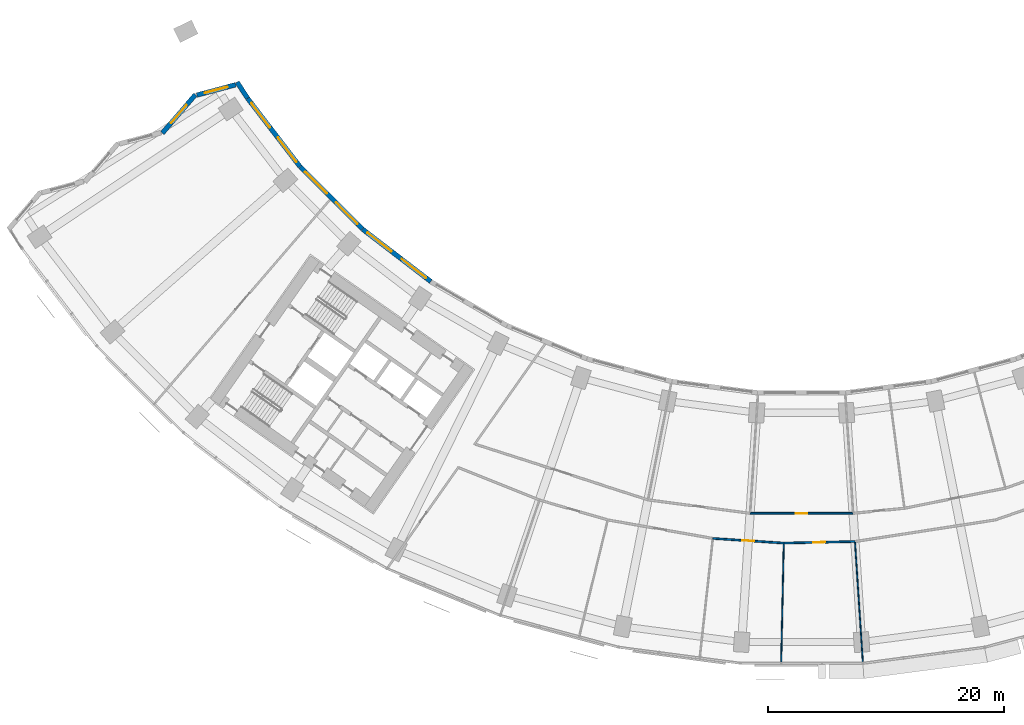
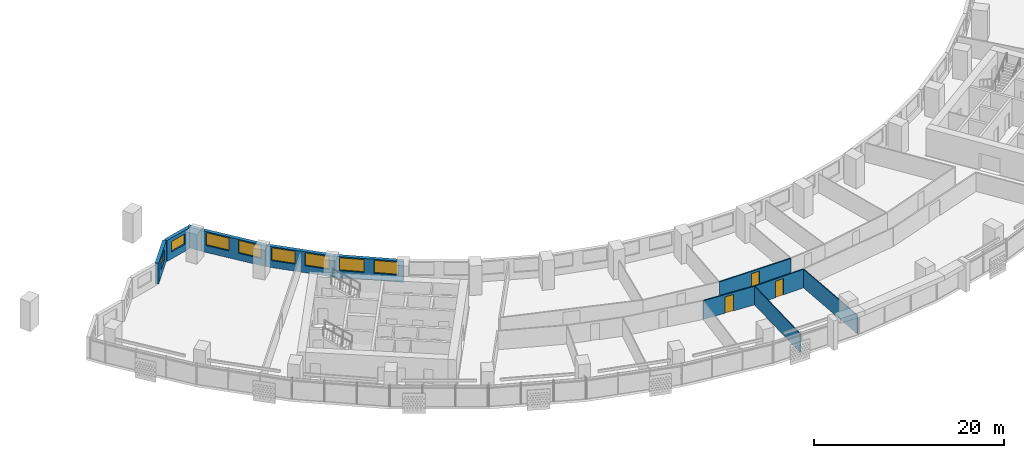
# One storey, part 5 of 31: 11 walls, 8 windows, 3 doors, 11 openings.
"""IFC4 building model written with IfcOpenShell, lengths in metres."""

from ifc_helpers import new_model, si_unit, direction, frame, frame_2d, origin, place, context, subcontext, project, spatial, rectangle, extrude, material, layer, layer_set, type_object, element, fill, save


model = new_model("IFC4")

# Units and contexts
model_context = context("Model", 3, precision=1e-05, world=origin(), true_north=direction((0.0, 1.0)))
body_context = subcontext(model_context, "Body", "Model", "MODEL_VIEW")
ifc_project = project(units=[si_unit("LENGTHUNIT", "METRE"), si_unit("AREAUNIT", "SQUARE_METRE"), si_unit("VOLUMEUNIT", "CUBIC_METRE"), si_unit("PLANEANGLEUNIT", "RADIAN"), si_unit("MASSUNIT", "GRAM", prefix="KILO")], contexts=[model_context])

# Site, building, storey
site_placement = place(None, origin())
site = spatial("IfcSite", under=ifc_project, at=site_placement, CompositionType="ELEMENT")
building_placement = place(site_placement, origin())
building = spatial("IfcBuilding", under=site, at=building_placement, Name="Qamariyya Broadcast Tower", CompositionType="ELEMENT")
storey_placement = place(building_placement, frame((0.0, 0.0, 51.89990234375)))
storey = spatial("IfcBuildingStorey", under=building, at=storey_placement, Name="L09", CompositionType="ELEMENT", Elevation=51.89990234375)

# Wall, opening, door
ifc_material_1 = material(Name="Gypsum board partition")
ifc_layer_1 = layer(ifc_material_1, 0.14990234375)
ifc_layer_set_1 = layer_set([ifc_layer_1], Name="Corridor partition 150 EI 60")
wall_type_1 = type_object("IfcWallType", Name="Corridor partition 150 EI 60", PredefinedType="PARTITIONING", material=ifc_layer_set_1)
wall_1_placement = place(storey_placement, frame((-1.511474609375, -69.18359375, 0.0), z_axis=(0.0, 0.0, 1.0), x_axis=(-0.997856905736, 0.065433903101, 0.0)))
wall_1 = element("IfcWall", 1, at=wall_1_placement, inside=storey, type_object=wall_type_1, Name="Partition L09-013", PredefinedType="PARTITIONING", context=body_context, shape_type="SweptSolid", body=[
    extrude(rectangle(XDim=6.033203125, YDim=0.14990234375, at=frame_2d((3.0166015625, 0.0))), origin(), (0.0, 0.0, 1.0), 2.400146484375),
])
opening_1_placement = place(wall_1_placement, frame((2.5166015625, 0.0, 0.0)))
opening_1 = element("IfcOpeningElement", 2, at=opening_1_placement, cuts=wall_1, Name="Opening L09-D04", PredefinedType="OPENING", context=body_context, shape_type="SweptSolid", body=[
    extrude(rectangle(XDim=1.0, YDim=2.10009765625, at=frame_2d((0.5, 1.050048828125))), frame((0.0, 0.0849609375, 0.0), z_axis=(0.0, -1.0, 0.0), x_axis=(1.0, 0.0, 0.0)), (0.0, 0.0, 1.0), 0.169921875),
])
ifc_material_2 = material(Name="Timber fire door leaf", Category="wood")
door_type = type_object("IfcDoorType", Name="Fire door 1000 x 2100 FD60", OperationType="NOTDEFINED", PredefinedType="DOOR", material=ifc_material_2)
door_1_placement = place(opening_1_placement, origin())
door_1 = element("IfcDoor", 3, at=door_1_placement, inside=storey, type_object=door_type, Name="Door L09-D04", OperationType="SINGLE_SWING_RIGHT", OverallHeight=2.10009765625, OverallWidth=1.0, PredefinedType="DOOR", context=body_context, shape_type="SweptSolid", body=[
    extrude(rectangle(XDim=1.0, YDim=2.10009765625, at=frame_2d((0.5, 1.050048828125))), frame((0.0, 0.02490234375, 0.0), z_axis=(0.0, -1.0, 0.0), x_axis=(1.0, 0.0, 0.0)), (0.0, 0.0, 1.0), 0.050048828125),
])
fill(opening_1, door_1)

wall_2_placement = place(storey_placement, frame((-4.368896484375, -66.656982421875, 0.0), z_axis=(0.0, 0.0, 1.0), x_axis=(1.0, 0.0, 0.0)))
wall_2 = element("IfcWall", 4, at=wall_2_placement, inside=storey, type_object=wall_type_1, Name="Partition L09-014", PredefinedType="PARTITIONING", context=body_context, shape_type="SweptSolid", body=[
    extrude(rectangle(XDim=8.73779296875, YDim=0.14990234375, at=frame_2d((4.368896484375, 0.0))), origin(), (0.0, 0.0, 1.0), 2.400146484375),
])
opening_2_placement = place(wall_2_placement, frame((3.868896484375, 0.0, 0.0)))
opening_2 = element("IfcOpeningElement", 5, at=opening_2_placement, cuts=wall_2, Name="Opening L09-D09", PredefinedType="OPENING", context=body_context, shape_type="SweptSolid", body=[
    extrude(rectangle(XDim=1.0, YDim=2.10009765625, at=frame_2d((0.5, 1.050048828125))), frame((0.0, 0.0849609375, 0.0), z_axis=(0.0, -1.0, 0.0), x_axis=(1.0, 0.0, 0.0)), (0.0, 0.0, 1.0), 0.169921875),
])
door_2_placement = place(opening_2_placement, origin())
door_2 = element("IfcDoor", 6, at=door_2_placement, inside=storey, type_object=door_type, Name="Door L09-D09", OperationType="SINGLE_SWING_RIGHT", OverallHeight=2.10009765625, OverallWidth=1.0, PredefinedType="DOOR", context=body_context, shape_type="SweptSolid", body=[
    extrude(rectangle(XDim=1.0, YDim=2.10009765625, at=frame_2d((0.5, 1.050048828125))), frame((0.0, 0.02490234375, 0.0), z_axis=(0.0, -1.0, 0.0), x_axis=(1.0, 0.0, 0.0)), (0.0, 0.0, 1.0), 0.050048828125),
])
fill(opening_2, door_2)

wall_3_placement = place(storey_placement, frame((4.52587890625, -69.0517578125, 0.0), z_axis=(0.0, 0.0, 1.0), x_axis=(-0.999761664283, -0.021831505468, 0.0)))
wall_3 = element("IfcWall", 7, at=wall_3_placement, inside=storey, type_object=wall_type_1, Name="Partition L09-017", PredefinedType="PARTITIONING", context=body_context, shape_type="SweptSolid", body=[
    extrude(rectangle(XDim=6.038818359375, YDim=0.14990234375, at=frame_2d((3.01953125, 0.0))), origin(), (0.0, 0.0, 1.0), 2.400146484375),
])
opening_3_placement = place(wall_3_placement, frame((2.51953125, 0.0, 0.0)))
opening_3 = element("IfcOpeningElement", 8, at=opening_3_placement, cuts=wall_3, Name="Opening L09-D05", PredefinedType="OPENING", context=body_context, shape_type="SweptSolid", body=[
    extrude(rectangle(XDim=1.0, YDim=2.10009765625, at=frame_2d((0.5, 1.050048828125))), frame((0.0, 0.0849609375, 0.0), z_axis=(0.0, -1.0, 0.0), x_axis=(1.0, 0.0, 0.0)), (0.0, 0.0, 1.0), 0.169921875),
])
door_3_placement = place(opening_3_placement, origin())
door_3 = element("IfcDoor", 9, at=door_3_placement, inside=storey, type_object=door_type, Name="Door L09-D05", OperationType="SINGLE_SWING_RIGHT", OverallHeight=2.10009765625, OverallWidth=1.0, PredefinedType="DOOR", context=body_context, shape_type="SweptSolid", body=[
    extrude(rectangle(XDim=1.0, YDim=2.10009765625, at=frame_2d((0.5, 1.050048828125))), frame((0.0, 0.02490234375, 0.0), z_axis=(0.0, -1.0, 0.0), x_axis=(1.0, 0.0, 0.0)), (0.0, 0.0, 1.0), 0.050048828125),
])
fill(opening_3, door_3)

# Walls
ifc_layer_2 = layer(ifc_material_1, 0.10009765625)
ifc_layer_set_2 = layer_set([ifc_layer_2], Name="Partition 100")
wall_type_2 = type_object("IfcWallType", Name="Partition 100", PredefinedType="PARTITIONING", material=ifc_layer_set_2)
wall_4_placement = place(storey_placement, frame((-1.732177734375, -79.279541015625, 0.0), z_axis=(0.0, 0.0, 1.0), x_axis=(0.021848313685, 0.999761297105, 0.0)))
element("IfcWall", 10, at=wall_4_placement, inside=storey, type_object=wall_type_2, Name="Partition L09-016", PredefinedType="PARTITIONING", context=body_context, shape_type="SweptSolid", body=[
    extrude(rectangle(XDim=10.0234375, YDim=0.10009765625, at=frame_2d((5.01171875, 0.0))), origin(), (0.0, 0.0, 1.0), 2.400146484375),
])
wall_5_placement = place(storey_placement, frame((5.1962890625, -79.27978515625, 0.0), z_axis=(0.0, 0.0, 1.0), x_axis=(-0.065408959123, 0.99785854111, 0.0)))
element("IfcWall", 11, at=wall_5_placement, inside=storey, type_object=wall_type_2, Name="Partition L09-021", PredefinedType="PARTITIONING", context=body_context, shape_type="SweptSolid", body=[
    extrude(rectangle(XDim=10.1748046875, YDim=0.10009765625, at=frame_2d((5.08740234375, 0.0))), origin(), (0.0, 0.0, 1.0), 2.400146484375),
])

# Wall, opening, window
ifc_material_3 = material(Name="Terracotta", Category="masonry")
ifc_layer_3 = layer(ifc_material_3, 0.39990234375)
ifc_layer_set_3 = layer_set([ifc_layer_3], Name="Terracotta clad wall 400")
wall_type_3 = type_object("IfcWallType", Name="Terracotta clad wall 400", PredefinedType="SOLIDWALL", material=ifc_layer_set_3)
wall_6_placement = place(storey_placement, frame((-48.02734375, -30.298095703125, 0.0), z_axis=(0.0, 0.0, 1.0), x_axis=(-0.966138164335, -0.258025284451, 0.0)))
wall_6 = element("IfcWall", 12, at=wall_6_placement, inside=storey, type_object=wall_type_3, Name="e-wl-L09-capW0", PredefinedType="SOLIDWALL", context=body_context, shape_type="SweptSolid", body=[
    extrude(rectangle(XDim=3.39404296875, YDim=0.39990234375, at=frame_2d((1.697021484375, 0.0))), origin(), (0.0, 0.0, 1.0), 2.7001953125),
])
opening_4_placement = place(wall_6_placement, frame((0.697021484375, 0.0, 0.89990234375)))
opening_4 = element("IfcOpeningElement", 13, at=opening_4_placement, cuts=wall_6, Name="Opening W4", PredefinedType="OPENING", context=body_context, shape_type="SweptSolid", body=[
    extrude(rectangle(XDim=2.0, YDim=1.35009765625, at=frame_2d((1.0, 0.675048828125))), frame((0.0, 0.2099609375, 0.0), z_axis=(0.0, -1.0, 0.0), x_axis=(1.0, 0.0, 0.0)), (0.0, 0.0, 1.0), 0.419921875),
])
ifc_material_4 = material(Name="Clear low-e double glazed unit in aluminium frame", Category="aluminium")
window_type_1 = type_object("IfcWindowType", Name="Horn bay window 2000 x 1350", PartitioningType="SINGLE_PANEL", PredefinedType="WINDOW", material=ifc_material_4)
window_1_placement = place(opening_4_placement, origin())
window_1 = element("IfcWindow", 14, at=window_1_placement, inside=storey, type_object=window_type_1, Name="e-w-L09-capW0", OverallHeight=1.35009765625, OverallWidth=2.0, PartitioningType="SINGLE_PANEL", PredefinedType="WINDOW", context=body_context, shape_type="SweptSolid", body=[
    extrude(rectangle(XDim=2.0, YDim=1.35009765625, at=frame_2d((1.0, 0.675048828125))), frame((0.0, 0.030029296875, 0.0), z_axis=(0.0, -1.0, 0.0), x_axis=(1.0, 0.0, 0.0)), (0.0, 0.0, 1.0), 0.06005859375),
])
fill(opening_4, window_1)

wall_7_placement = place(storey_placement, frame((-51.43115234375, -31.142822265625, 0.0), z_axis=(0.0, 0.0, 1.0), x_axis=(-0.65218495885, -0.758059878538, 0.0)))
wall_7 = element("IfcWall", 15, at=wall_7_placement, inside=storey, type_object=wall_type_3, Name="e-wl-L09-capW1", PredefinedType="SOLIDWALL", context=body_context, shape_type="SweptSolid", body=[
    extrude(rectangle(XDim=4.2958984375, YDim=0.39990234375, at=frame_2d((2.14794921875, 0.0))), origin(), (0.0, 0.0, 1.0), 2.7001953125),
])
opening_5_placement = place(wall_7_placement, frame((1.14794921875, 0.0, 0.89990234375)))
opening_5 = element("IfcOpeningElement", 16, at=opening_5_placement, cuts=wall_7, Name="Opening W4", PredefinedType="OPENING", context=body_context, shape_type="SweptSolid", body=[
    extrude(rectangle(XDim=2.0, YDim=1.35009765625, at=frame_2d((1.0, 0.675048828125))), frame((0.0, 0.2099609375, 0.0), z_axis=(0.0, -1.0, 0.0), x_axis=(1.0, 0.0, 0.0)), (0.0, 0.0, 1.0), 0.419921875),
])
window_2_placement = place(opening_5_placement, origin())
window_2 = element("IfcWindow", 17, at=window_2_placement, inside=storey, type_object=window_type_1, Name="e-w-L09-capW1", OverallHeight=1.35009765625, OverallWidth=2.0, PartitioningType="SINGLE_PANEL", PredefinedType="WINDOW", context=body_context, shape_type="SweptSolid", body=[
    extrude(rectangle(XDim=2.0, YDim=1.35009765625, at=frame_2d((1.0, 0.675048828125))), frame((0.0, 0.030029296875, 0.0), z_axis=(0.0, -1.0, 0.0), x_axis=(1.0, 0.0, 0.0)), (0.0, 0.0, 1.0), 0.06005859375),
])
fill(opening_5, window_2)

# Wall
wall_8_placement = place(storey_placement, frame((-47.008544921875, -31.434326171875, 0.0), z_axis=(0.0, 0.0, 1.0), x_axis=(-0.544156714053, 0.838983593732, 0.0)))
element("IfcWall", 18, at=wall_8_placement, inside=storey, type_object=wall_type_3, Name="e-wl-L09-in00", PredefinedType="SOLIDWALL", context=body_context, shape_type="SweptSolid", body=[
    extrude(rectangle(XDim=1.62060546875, YDim=0.39990234375, at=frame_2d((0.810302734375, 0.0))), origin(), (0.0, 0.0, 1.0), 2.7001953125),
])

# Wall, openings, windows
wall_9_placement = place(storey_placement, frame((-42.5478515625, -37.24609375, 0.0), z_axis=(0.0, 0.0, 1.0), x_axis=(-0.608748398091, 0.793363339096, 0.0)))
wall_9 = element("IfcWall", 19, at=wall_9_placement, inside=storey, type_object=wall_type_3, Name="e-wl-L09-in10", PredefinedType="SOLIDWALL", context=body_context, shape_type="SweptSolid", body=[
    extrude(rectangle(XDim=7.310302734375, YDim=0.39990234375, at=frame_2d((3.6552734375, 0.0))), origin(), (0.0, 0.0, 1.0), 2.7001953125),
])
opening_6_placement = place(wall_9_placement, frame((4.190673828125, 0.0, 0.89990234375)))
opening_6 = element("IfcOpeningElement", 20, at=opening_6_placement, cuts=wall_9, Name="Opening W1", PredefinedType="OPENING", context=body_context, shape_type="SweptSolid", body=[
    extrude(rectangle(XDim=2.60009765625, YDim=1.64990234375, at=frame_2d((1.300048828125, 0.824951171875))), frame((0.0, 0.2099609375, 0.0), z_axis=(0.0, -1.0, 0.0), x_axis=(1.0, 0.0, 0.0)), (0.0, 0.0, 1.0), 0.419921875),
])
opening_7_placement = place(wall_9_placement, frame((0.505126953125, 0.0, 0.89990234375)))
opening_7 = element("IfcOpeningElement", 21, at=opening_7_placement, cuts=wall_9, Name="Opening W1", PredefinedType="OPENING", context=body_context, shape_type="SweptSolid", body=[
    extrude(rectangle(XDim=2.60009765625, YDim=1.64990234375, at=frame_2d((1.300048828125, 0.824951171875))), frame((0.0, 0.2099609375, 0.0), z_axis=(0.0, -1.0, 0.0), x_axis=(1.0, 0.0, 0.0)), (0.0, 0.0, 1.0), 0.419921875),
])
window_type_2 = type_object("IfcWindowType", Name="Ribbon window 2600 x 1650", PartitioningType="SINGLE_PANEL", PredefinedType="WINDOW", material=ifc_material_4)
window_3_placement = place(opening_6_placement, origin())
window_3 = element("IfcWindow", 22, at=window_3_placement, inside=storey, type_object=window_type_2, Name="e-w-L09-in01-0", OverallHeight=1.64990234375, OverallWidth=2.60009765625, PartitioningType="SINGLE_PANEL", PredefinedType="WINDOW", context=body_context, shape_type="SweptSolid", body=[
    extrude(rectangle(XDim=2.60009765625, YDim=1.64990234375, at=frame_2d((1.300048828125, 0.824951171875))), frame((0.0, 0.030029296875, 0.0), z_axis=(0.0, -1.0, 0.0), x_axis=(1.0, 0.0, 0.0)), (0.0, 0.0, 1.0), 0.06005859375),
])
fill(opening_6, window_3)
window_4_placement = place(opening_7_placement, origin())
window_4 = element("IfcWindow", 23, at=window_4_placement, inside=storey, type_object=window_type_2, Name="e-w-L09-in01-1", OverallHeight=1.64990234375, OverallWidth=2.60009765625, PartitioningType="SINGLE_PANEL", PredefinedType="WINDOW", context=body_context, shape_type="SweptSolid", body=[
    extrude(rectangle(XDim=2.60009765625, YDim=1.64990234375, at=frame_2d((1.300048828125, 0.824951171875))), frame((0.0, 0.030029296875, 0.0), z_axis=(0.0, -1.0, 0.0), x_axis=(1.0, 0.0, 0.0)), (0.0, 0.0, 1.0), 0.06005859375),
])
fill(opening_7, window_4)

wall_10_placement = place(storey_placement, frame((-37.2685546875, -42.534423828125, 0.0), z_axis=(0.0, 0.0, 1.0), x_axis=(-0.707106781187, 0.707106781187, 0.0)))
wall_10 = element("IfcWall", 24, at=wall_10_placement, inside=storey, type_object=wall_type_3, Name="e-wl-L09-in20", PredefinedType="SOLIDWALL", context=body_context, shape_type="SweptSolid", body=[
    extrude(rectangle(XDim=7.447021484375, YDim=0.39990234375, at=frame_2d((3.7236328125, 0.0))), origin(), (0.0, 0.0, 1.0), 2.7001953125),
])
opening_8_placement = place(wall_10_placement, frame((4.266357421875, 0.0, 0.89990234375)))
opening_8 = element("IfcOpeningElement", 25, at=opening_8_placement, cuts=wall_10, Name="Opening W1", PredefinedType="OPENING", context=body_context, shape_type="SweptSolid", body=[
    extrude(rectangle(XDim=2.60009765625, YDim=1.64990234375, at=frame_2d((1.300048828125, 0.824951171875))), frame((0.0, 0.2099609375, 0.0), z_axis=(0.0, -1.0, 0.0), x_axis=(1.0, 0.0, 0.0)), (0.0, 0.0, 1.0), 0.419921875),
])
opening_9_placement = place(wall_10_placement, frame((0.580810546875, 0.0, 0.89990234375)))
opening_9 = element("IfcOpeningElement", 26, at=opening_9_placement, cuts=wall_10, Name="Opening W1", PredefinedType="OPENING", context=body_context, shape_type="SweptSolid", body=[
    extrude(rectangle(XDim=2.60009765625, YDim=1.64990234375, at=frame_2d((1.300048828125, 0.824951171875))), frame((0.0, 0.2099609375, 0.0), z_axis=(0.0, -1.0, 0.0), x_axis=(1.0, 0.0, 0.0)), (0.0, 0.0, 1.0), 0.419921875),
])
window_5_placement = place(opening_8_placement, origin())
window_5 = element("IfcWindow", 27, at=window_5_placement, inside=storey, type_object=window_type_2, Name="e-w-L09-in02-0", OverallHeight=1.64990234375, OverallWidth=2.60009765625, PartitioningType="SINGLE_PANEL", PredefinedType="WINDOW", context=body_context, shape_type="SweptSolid", body=[
    extrude(rectangle(XDim=2.60009765625, YDim=1.64990234375, at=frame_2d((1.300048828125, 0.824951171875))), frame((0.0, 0.030029296875, 0.0), z_axis=(0.0, -1.0, 0.0), x_axis=(1.0, 0.0, 0.0)), (0.0, 0.0, 1.0), 0.06005859375),
])
fill(opening_8, window_5)
window_6_placement = place(opening_9_placement, origin())
window_6 = element("IfcWindow", 28, at=window_6_placement, inside=storey, type_object=window_type_2, Name="e-w-L09-in02-1", OverallHeight=1.64990234375, OverallWidth=2.60009765625, PartitioningType="SINGLE_PANEL", PredefinedType="WINDOW", context=body_context, shape_type="SweptSolid", body=[
    extrude(rectangle(XDim=2.60009765625, YDim=1.64990234375, at=frame_2d((1.300048828125, 0.824951171875))), frame((0.0, 0.030029296875, 0.0), z_axis=(0.0, -1.0, 0.0), x_axis=(1.0, 0.0, 0.0)), (0.0, 0.0, 1.0), 0.06005859375),
])
fill(opening_9, window_6)

wall_11_placement = place(storey_placement, frame((-31.4580078125, -46.989013671875, 0.0), z_axis=(0.0, 0.0, 1.0), x_axis=(-0.79336607943, 0.60874482668, 0.0)))
wall_11 = element("IfcWall", 29, at=wall_11_placement, inside=storey, type_object=wall_type_3, Name="e-wl-L09-in30", PredefinedType="SOLIDWALL", context=body_context, shape_type="SweptSolid", body=[
    extrude(rectangle(XDim=7.295654296875, YDim=0.39990234375, at=frame_2d((3.64794921875, 0.0))), origin(), (0.0, 0.0, 1.0), 2.7001953125),
])
opening_10_placement = place(wall_11_placement, frame((4.190673828125, 0.0, 0.89990234375)))
opening_10 = element("IfcOpeningElement", 30, at=opening_10_placement, cuts=wall_11, Name="Opening W1", PredefinedType="OPENING", context=body_context, shape_type="SweptSolid", body=[
    extrude(rectangle(XDim=2.60009765625, YDim=1.64990234375, at=frame_2d((1.300048828125, 0.824951171875))), frame((0.0, 0.2099609375, 0.0), z_axis=(0.0, -1.0, 0.0), x_axis=(1.0, 0.0, 0.0)), (0.0, 0.0, 1.0), 0.419921875),
])
opening_11_placement = place(wall_11_placement, frame((0.505126953125, 0.0, 0.89990234375)))
opening_11 = element("IfcOpeningElement", 31, at=opening_11_placement, cuts=wall_11, Name="Opening W1", PredefinedType="OPENING", context=body_context, shape_type="SweptSolid", body=[
    extrude(rectangle(XDim=2.60009765625, YDim=1.64990234375, at=frame_2d((1.300048828125, 0.824951171875))), frame((0.0, 0.2099609375, 0.0), z_axis=(0.0, -1.0, 0.0), x_axis=(1.0, 0.0, 0.0)), (0.0, 0.0, 1.0), 0.419921875),
])
window_7_placement = place(opening_10_placement, origin())
window_7 = element("IfcWindow", 32, at=window_7_placement, inside=storey, type_object=window_type_2, Name="e-w-L09-in03-0", OverallHeight=1.64990234375, OverallWidth=2.60009765625, PartitioningType="SINGLE_PANEL", PredefinedType="WINDOW", context=body_context, shape_type="SweptSolid", body=[
    extrude(rectangle(XDim=2.60009765625, YDim=1.64990234375, at=frame_2d((1.300048828125, 0.824951171875))), frame((0.0, 0.030029296875, 0.0), z_axis=(0.0, -1.0, 0.0), x_axis=(1.0, 0.0, 0.0)), (0.0, 0.0, 1.0), 0.06005859375),
])
fill(opening_10, window_7)
window_8_placement = place(opening_11_placement, origin())
window_8 = element("IfcWindow", 33, at=window_8_placement, inside=storey, type_object=window_type_2, Name="e-w-L09-in03-1", OverallHeight=1.64990234375, OverallWidth=2.60009765625, PartitioningType="SINGLE_PANEL", PredefinedType="WINDOW", context=body_context, shape_type="SweptSolid", body=[
    extrude(rectangle(XDim=2.60009765625, YDim=1.64990234375, at=frame_2d((1.300048828125, 0.824951171875))), frame((0.0, 0.030029296875, 0.0), z_axis=(0.0, -1.0, 0.0), x_axis=(1.0, 0.0, 0.0)), (0.0, 0.0, 1.0), 0.06005859375),
])
fill(opening_11, window_8)

save(model, "model.ifc")
